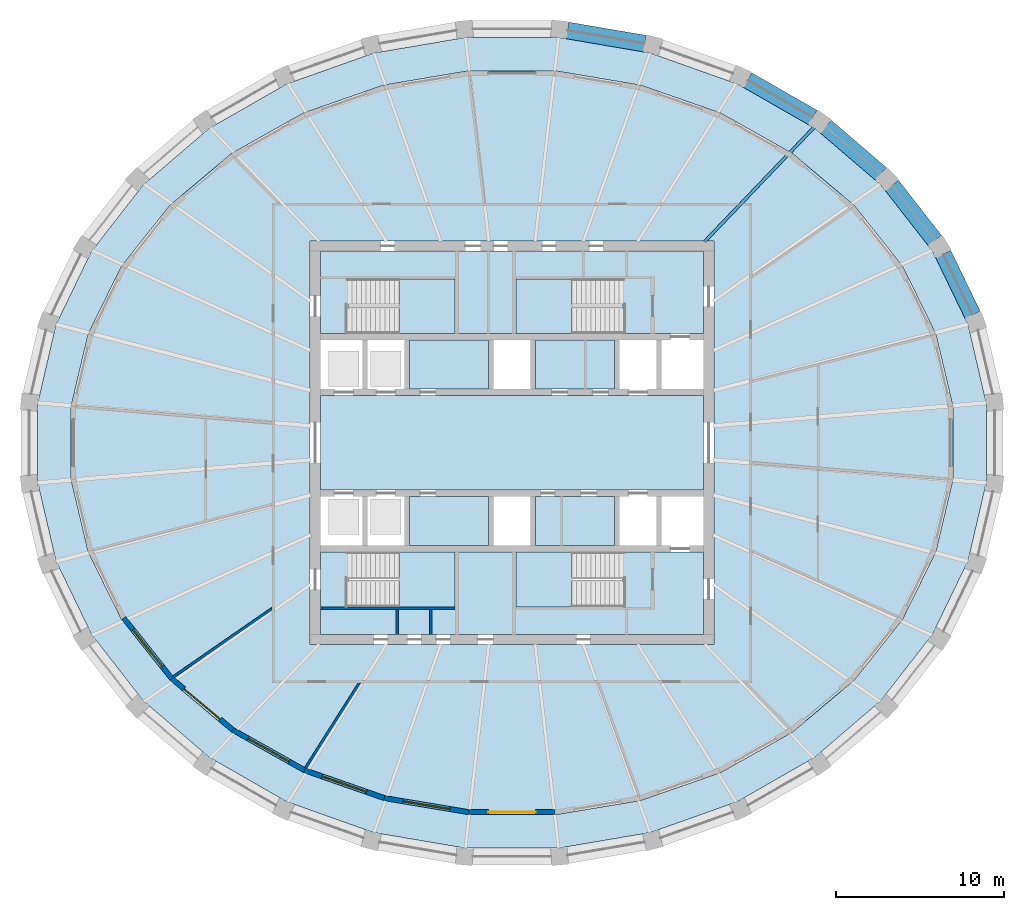
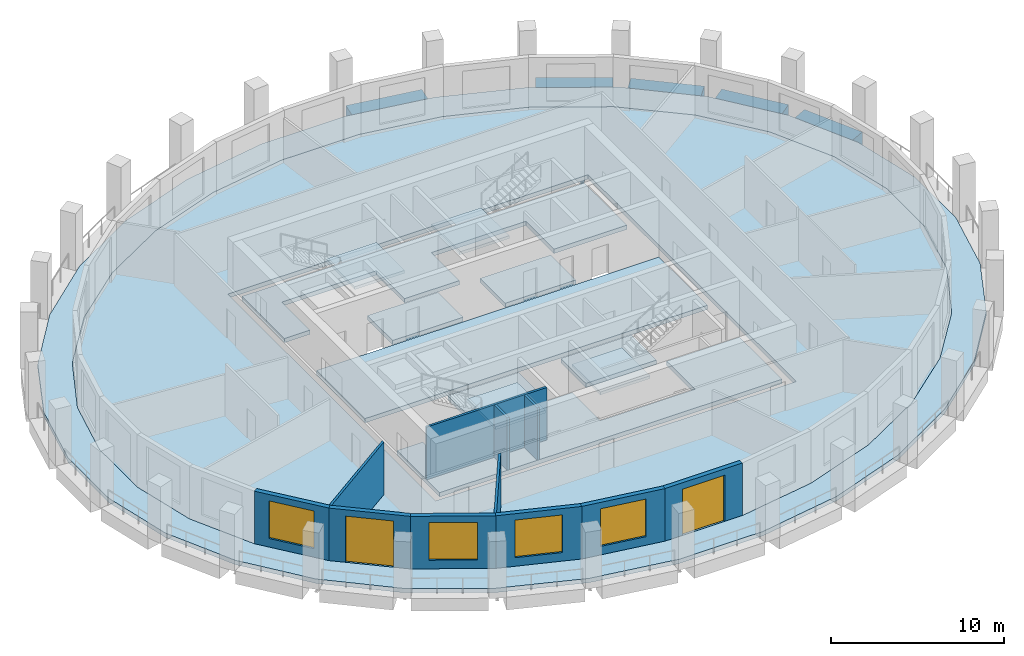
# One storey, part 2 of 10: 13 slabs, 11 walls, 6 beams, 4 windows, 2 doors, 6 openings, 4 elements without a shape of their own.
"""IFC4 building model written with IfcOpenShell, lengths in metres."""

from ifc_helpers import new_model, si_unit, direction, frame, frame_2d, origin, origin_2d, place, context, subcontext, project, spatial, polyline, rectangle, i_section, outline, extrude, material, layer, layer_set, material_profile, profile_set, type_object, element, fill, aggregate, save


model = new_model("IFC4")

# Units and contexts
model_context = context("Model", 3, precision=1e-05, world=origin(), true_north=direction((0.0, 1.0)))
body_context = subcontext(model_context, "Body", "Model", "MODEL_VIEW")
ifc_project = project(units=[si_unit("LENGTHUNIT", "METRE"), si_unit("AREAUNIT", "SQUARE_METRE"), si_unit("VOLUMEUNIT", "CUBIC_METRE"), si_unit("PLANEANGLEUNIT", "RADIAN"), si_unit("MASSUNIT", "GRAM", prefix="KILO")], contexts=[model_context])

# Site, building, storey
site_placement = place(None, origin())
site = spatial("IfcSite", under=ifc_project, at=site_placement, CompositionType="ELEMENT")
building_placement = place(site_placement, origin())
building = spatial("IfcBuilding", under=site, at=building_placement, Name="Halqa Exchange Tower", CompositionType="ELEMENT")
storey_placement = place(building_placement, frame((0.0, 0.0, 308.300048828125)))
storey = spatial("IfcBuildingStorey", under=building, at=storey_placement, Name="L72", CompositionType="ELEMENT", Elevation=308.300048828125)

# Beams
ifc_material_1 = material(Name="Steel S355", Category="steel")
ifc_material_profile_1 = material_profile(ifc_material_1, i_section(OverallWidth=0.179931640625, OverallDepth=0.39990234375, WebThickness=0.008544921875, FlangeThickness=0.013427734375, FilletRadius=0.02099609375, at=origin_2d()), Name="IPE 400")
ifc_profile_set_1 = profile_set([ifc_material_profile_1], Name="Steel S355")
beam_type_1 = type_object("IfcBeamType", Name="Floor beam IPE 400", PredefinedType="BEAM", material=ifc_profile_set_1)
beam_1_placement = place(storey_placement, frame((11.46240234375, 11.9716796875, -0.5), z_axis=(0.69157007379, 0.722309374879, 0.0), x_axis=(-0.722309374879, 0.69157007379, 0.0)))
element("IfcBeam", 1, at=beam_1_placement, inside=storey, type_object=beam_type_1, Name="Radial beam 5", PredefinedType="BEAM", context=body_context, shape_type="SweptSolid", body=[
    extrude(i_section(OverallWidth=0.179931640625, OverallDepth=0.39990234375, WebThickness=0.008544921875, FlangeThickness=0.013427734375, FilletRadius=0.02099609375, at=origin_2d()), origin(), (0.0, 0.0, 1.0), 9.5068359375),
])
ifc_material_2 = material(Name="Concrete C60/75", Category="concrete")
ifc_material_profile_2 = material_profile(ifc_material_2, rectangle(XDim=1.0, YDim=0.89990234375, at=origin_2d()), Name="1000 x 900")
ifc_profile_set_2 = profile_set([ifc_material_profile_2], Name="Concrete C60/75")
beam_type_2 = type_object("IfcBeamType", Name="RC spandrel beam 1000 x 900 C60/75", PredefinedType="SPANDREL", material=ifc_profile_set_2)
beam_2_placement = place(storey_placement, frame((27.393310546875, 7.6044921875, -0.449951171875), z_axis=(-0.43510880849, 0.900377878879, 0.0), x_axis=(-0.900377878879, -0.43510880849, 0.0)))
element("IfcBeam", 2, at=beam_2_placement, inside=storey, type_object=beam_type_2, Name="Spandrel 2", PredefinedType="SPANDREL", context=body_context, shape_type="SweptSolid", body=[
    extrude(rectangle(XDim=1.0, YDim=0.89990234375, at=origin_2d()), origin(), (0.0, 0.0, 1.0), 4.023193359375),
])
beam_3_placement = place(storey_placement, frame((25.14453125, 12.0283203125, -0.449951171875), z_axis=(-0.614813616622, 0.788672439493, 0.0), x_axis=(-0.788672439493, -0.614813616622, 0.0)))
element("IfcBeam", 3, at=beam_3_placement, inside=storey, type_object=beam_type_2, Name="Spandrel 3", PredefinedType="SPANDREL", context=body_context, shape_type="SweptSolid", body=[
    extrude(rectangle(XDim=1.0, YDim=0.89990234375, at=origin_2d()), origin(), (0.0, 0.0, 1.0), 4.160888671875),
])
beam_4_placement = place(storey_placement, frame((21.93505859375, 15.991943359375, -0.449951171875), z_axis=(-0.759264587282, 0.650782057604, 0.0), x_axis=(-0.650782057604, -0.759264587282, 0.0)))
element("IfcBeam", 4, at=beam_4_placement, inside=storey, type_object=beam_type_2, Name="Spandrel 4", PredefinedType="SPANDREL", context=body_context, shape_type="SweptSolid", body=[
    extrude(rectangle(XDim=1.0, YDim=0.89990234375, at=origin_2d()), origin(), (0.0, 0.0, 1.0), 4.31640625),
])
beam_5_placement = place(storey_placement, frame((17.885986328125, 19.345703125, -0.449951171875), z_axis=(-0.867738419342, 0.497021162123, 0.0), x_axis=(-0.497021162123, -0.867738419342, 0.0)))
element("IfcBeam", 5, at=beam_5_placement, inside=storey, type_object=beam_type_2, Name="Spandrel 5", PredefinedType="SPANDREL", context=body_context, shape_type="SweptSolid", body=[
    extrude(rectangle(XDim=1.0, YDim=0.89990234375, at=origin_2d()), origin(), (0.0, 0.0, 1.0), 4.468994140625),
])
beam_6_placement = place(storey_placement, frame((7.90478515625, 23.737060546875, -0.449951171875), z_axis=(-0.985773363279, 0.168079969805, 0.0), x_axis=(-0.168079969805, -0.985773363279, 0.0)))
element("IfcBeam", 6, at=beam_6_placement, inside=storey, type_object=beam_type_2, Name="Spandrel 7", PredefinedType="SPANDREL", context=body_context, shape_type="SweptSolid", body=[
    extrude(rectangle(XDim=1.0, YDim=0.89990234375, at=origin_2d()), origin(), (0.0, 0.0, 1.0), 4.67724609375),
])

# Slabs
ifc_layer_1 = layer(ifc_material_2, 0.300048828125)
ifc_layer_set_1 = layer_set([ifc_layer_1], Name="Concrete C60/75")
slab_type_1 = type_object("IfcSlabType", Name="Core floor slab 300", PredefinedType="FLOOR", material=ifc_layer_set_1)
slab_1_placement = place(storey_placement, frame((0.0, 0.0, -0.300048828125)))
element("IfcSlab", 7, at=slab_1_placement, inside=storey, type_object=slab_type_1, Name="Core floor slab", PredefinedType="FLOOR", context=body_context, shape_type="SweptSolid", body=[
    extrude(outline(polyline([(-11.39990234375, 2.800048828125), (11.39990234375, 2.800048828125), (11.39990234375, -2.800048828125), (-11.39990234375, -2.800048828125), (-11.39990234375, 2.800048828125)])), origin(), (0.0, 0.0, 1.0), 0.300048828125),
])
slab_2_placement = place(storey_placement, frame((0.0, 0.0, -0.300048828125)))
element("IfcSlab", 8, at=slab_2_placement, inside=storey, type_object=slab_type_1, Name="Core floor slab", PredefinedType="FLOOR", context=body_context, shape_type="SweptSolid", body=[
    extrude(outline(polyline([(-11.39990234375, 11.39990234375), (11.39990234375, 11.39990234375), (11.39990234375, 6.5), (6.550048828125, 6.5), (6.550048828125, 9.75), (0.25, 9.75), (0.25, 6.5), (-3.39990234375, 6.5), (-3.39990234375, 9.75), (-9.699951171875, 9.75), (-9.699951171875, 6.5), (-11.39990234375, 6.5), (-11.39990234375, 11.39990234375)])), origin(), (0.0, 0.0, 1.0), 0.300048828125),
])
slab_3_placement = place(storey_placement, frame((0.0, 0.0, -0.300048828125)))
element("IfcSlab", 9, at=slab_3_placement, inside=storey, type_object=slab_type_1, Name="Core floor slab", PredefinedType="FLOOR", context=body_context, shape_type="SweptSolid", body=[
    extrude(outline(polyline([(-11.39990234375, -6.5), (-9.699951171875, -6.5), (-9.699951171875, -9.75), (-3.39990234375, -9.75), (-3.39990234375, -6.5), (0.25, -6.5), (0.25, -9.75), (6.550048828125, -9.75), (6.550048828125, -6.5), (11.39990234375, -6.5), (11.39990234375, -11.39990234375), (-11.39990234375, -11.39990234375), (-11.39990234375, -6.5)])), origin(), (0.0, 0.0, 1.0), 0.300048828125),
])
slab_4_placement = place(storey_placement, frame((0.0, 0.0, -0.300048828125)))
element("IfcSlab", 10, at=slab_4_placement, inside=storey, type_object=slab_type_1, Name="Core floor slab", PredefinedType="FLOOR", context=body_context, shape_type="SweptSolid", body=[
    extrude(outline(polyline([(-1.39990234375, -3.199951171875), (-1.39990234375, -6.10009765625), (-6.10009765625, -6.10009765625), (-6.10009765625, -3.199951171875), (-1.39990234375, -3.199951171875)])), origin(), (0.0, 0.0, 1.0), 0.300048828125),
])
slab_5_placement = place(storey_placement, frame((0.0, 0.0, -0.300048828125)))
element("IfcSlab", 11, at=slab_5_placement, inside=storey, type_object=slab_type_1, Name="Core floor slab", PredefinedType="FLOOR", context=body_context, shape_type="SweptSolid", body=[
    extrude(outline(polyline([(-1.39990234375, 3.199951171875), (-6.10009765625, 3.199951171875), (-6.10009765625, 6.10009765625), (-1.39990234375, 6.10009765625), (-1.39990234375, 3.199951171875)])), origin(), (0.0, 0.0, 1.0), 0.300048828125),
])
slab_6_placement = place(storey_placement, frame((0.0, 0.0, -0.300048828125)))
element("IfcSlab", 12, at=slab_6_placement, inside=storey, type_object=slab_type_1, Name="Core floor slab", PredefinedType="FLOOR", context=body_context, shape_type="SweptSolid", body=[
    extrude(outline(polyline([(6.10009765625, -3.199951171875), (6.10009765625, -6.10009765625), (1.39990234375, -6.10009765625), (1.39990234375, -3.199951171875), (6.10009765625, -3.199951171875)])), origin(), (0.0, 0.0, 1.0), 0.300048828125),
])
slab_7_placement = place(storey_placement, frame((0.0, 0.0, -0.300048828125)))
element("IfcSlab", 13, at=slab_7_placement, inside=storey, type_object=slab_type_1, Name="Core floor slab", PredefinedType="FLOOR", context=body_context, shape_type="SweptSolid", body=[
    extrude(outline(polyline([(6.10009765625, 6.10009765625), (6.10009765625, 3.199951171875), (1.39990234375, 3.199951171875), (1.39990234375, 6.10009765625), (6.10009765625, 6.10009765625)])), origin(), (0.0, 0.0, 1.0), 0.300048828125),
])
ifc_material_3 = material(Name="Concrete C40/50", Category="concrete")
ifc_layer_2 = layer(ifc_material_3, 0.300048828125)
ifc_layer_set_2 = layer_set([ifc_layer_2], Name="Concrete C40/50")
slab_type_2 = type_object("IfcSlabType", Name="RC floor slab 300", PredefinedType="FLOOR", material=ifc_layer_set_2)
slab_8_placement = place(storey_placement, frame((0.0, 0.0, -0.300048828125)))
element("IfcSlab", 14, at=slab_8_placement, inside=storey, type_object=slab_type_2, Name="Floor slab", PredefinedType="FLOOR", context=body_context, shape_type="SweptSolid", body=[
    extrude(outline(polyline([(26.216796875, 2.18359375), (25.204833984375, 6.465576171875), (23.22216796875, 10.4951171875), (20.346923828125, 14.1171875), (16.6923828125, 17.193603515625), (12.400146484375, 19.60791015625), (7.63427734375, 21.26953125), (2.577392578125, 22.1162109375), (-2.577392578125, 22.1162109375), (-7.63427734375, 21.26953125), (-12.400146484375, 19.60791015625), (-16.6923828125, 17.193603515625), (-20.346923828125, 14.1171875), (-23.22216796875, 10.4951171875), (-25.204833984375, 6.465576171875), (-26.216796875, 2.18359375), (-26.216796875, -2.18359375), (-25.204833984375, -6.465576171875), (-23.22216796875, -10.4951171875), (-20.346923828125, -14.1171875), (-16.6923828125, -17.193603515625), (-12.400146484375, -19.60791015625), (-7.63427734375, -21.26953125), (-2.577392578125, -22.1162109375), (2.577392578125, -22.1162109375), (7.63427734375, -21.26953125), (12.400146484375, -19.60791015625), (16.6923828125, -17.193603515625), (20.346923828125, -14.1171875), (23.22216796875, -10.4951171875), (25.204833984375, -6.465576171875), (26.216796875, -2.18359375), (26.216796875, 2.18359375)]), holes=[polyline([(-12.0, -12.0), (12.0, -12.0), (12.0, 12.0), (-12.0, 12.0), (-12.0, -12.0)])]), origin(), (0.0, 0.0, 1.0), 0.300048828125),
])
ifc_layer_3 = layer(ifc_material_3, 0.300048828125)
ifc_layer_set_3 = layer_set([ifc_layer_3], Name="Concrete C40/50")
slab_type_3 = type_object("IfcSlabType", Name="RC loggia slab 300", PredefinedType="FLOOR", material=ifc_layer_set_3)
slab_9_placement = place(storey_placement, frame((0.0, 0.0, -0.300048828125)))
element("IfcSlab", 15, at=slab_9_placement, inside=storey, type_object=slab_type_3, Name="Loggia slab", PredefinedType="FLOOR", context=body_context, shape_type="SweptSolid", body=[
    extrude(outline(polyline([(28.203125, 2.365966796875), (28.203125, -2.365966796875), (27.125732421875, -7.009033203125), (25.009521484375, -11.38818359375), (21.931640625, -15.336181640625), (18.0078125, -18.69970703125), (13.386474609375, -21.346435546875), (8.245849609375, -23.171630859375), (2.78466796875, -24.102783203125), (-2.78466796875, -24.102783203125), (-8.245849609375, -23.171630859375), (-13.386474609375, -21.346435546875), (-18.0078125, -18.69970703125), (-21.931640625, -15.336181640625), (-25.009521484375, -11.38818359375), (-27.125732421875, -7.009033203125), (-28.203125, -2.365966796875), (-28.203125, 2.365966796875), (-27.125732421875, 7.009033203125), (-25.009521484375, 11.38818359375), (-21.931640625, 15.336181640625), (-18.0078125, 18.69970703125), (-13.386474609375, 21.346435546875), (-8.245849609375, 23.171630859375), (-2.78466796875, 24.102783203125), (2.78466796875, 24.102783203125), (8.245849609375, 23.171630859375), (13.386474609375, 21.346435546875), (18.0078125, 18.69970703125), (21.931640625, 15.336181640625), (25.009521484375, 11.38818359375), (27.125732421875, 7.009033203125), (28.203125, 2.365966796875)]), holes=[polyline([(26.216796875, 2.18359375), (25.204833984375, 6.465576171875), (23.22216796875, 10.4951171875), (20.346923828125, 14.1171875), (16.6923828125, 17.193603515625), (12.400146484375, 19.60791015625), (7.63427734375, 21.26953125), (2.577392578125, 22.1162109375), (-2.577392578125, 22.1162109375), (-7.63427734375, 21.26953125), (-12.400146484375, 19.60791015625), (-16.6923828125, 17.193603515625), (-20.346923828125, 14.1171875), (-23.22216796875, 10.4951171875), (-25.204833984375, 6.465576171875), (-26.216796875, 2.18359375), (-26.216796875, -2.18359375), (-25.204833984375, -6.465576171875), (-23.22216796875, -10.4951171875), (-20.346923828125, -14.1171875), (-16.6923828125, -17.193603515625), (-12.400146484375, -19.60791015625), (-7.63427734375, -21.26953125), (-2.577392578125, -22.1162109375), (2.577392578125, -22.1162109375), (7.63427734375, -21.26953125), (12.400146484375, -19.60791015625), (16.6923828125, -17.193603515625), (20.346923828125, -14.1171875), (23.22216796875, -10.4951171875), (25.204833984375, -6.465576171875), (26.216796875, -2.18359375), (26.216796875, 2.18359375)])]), origin(), (0.0, 0.0, 1.0), 0.300048828125),
])

# Stair, slab
ifc_material_4 = material(Name="Concrete C30/37", Category="concrete")
stair_type = type_object("IfcStairType", Name="Exit stair 1500 wide", PredefinedType="HALF_TURN_STAIR", material=ifc_material_4)
stair_1_placement = place(storey_placement, origin())
stair_1 = element("IfcStair", 16, at=stair_1_placement, inside=storey, type_object=stair_type, Name="Exit stair ST1", PredefinedType="HALF_TURN_STAIR")
ifc_layer_4 = layer(ifc_material_4, 0.199951171875)
ifc_layer_set_4 = layer_set([ifc_layer_4], Name="Concrete C30/37")
slab_type_4 = type_object("IfcSlabType", Name="Stair landing 200 slab", PredefinedType="LANDING", material=ifc_layer_set_4)
slab_10_placement = place(storey_placement, frame((0.0, 0.0, 1.800048828125)))
slab_10 = element("IfcSlab", 17, at=slab_10_placement, type_object=slab_type_4, Name="ST1 landing 1", PredefinedType="LANDING", context=body_context, shape_type="SweptSolid", body=[
    extrude(outline(polyline([(-6.719970703125, 6.5), (-3.39990234375, 6.5), (-3.39990234375, 9.75), (-6.719970703125, 9.75), (-6.719970703125, 6.5)])), origin(), (0.0, 0.0, 1.0), 0.199951171875),
])
aggregate(stair_1, [slab_10])

stair_2_placement = place(storey_placement, origin())
stair_2 = element("IfcStair", 18, at=stair_2_placement, inside=storey, type_object=stair_type, Name="Exit stair ST2", PredefinedType="HALF_TURN_STAIR")
slab_11_placement = place(storey_placement, frame((0.0, 0.0, 1.800048828125)))
slab_11 = element("IfcSlab", 19, at=slab_11_placement, type_object=slab_type_4, Name="ST2 landing 1", PredefinedType="LANDING", context=body_context, shape_type="SweptSolid", body=[
    extrude(outline(polyline([(0.25, 6.5), (3.570068359375, 6.5), (3.570068359375, 9.75), (0.25, 9.75), (0.25, 6.5)])), origin(), (0.0, 0.0, 1.0), 0.199951171875),
])
aggregate(stair_2, [slab_11])

stair_3_placement = place(storey_placement, origin())
stair_3 = element("IfcStair", 20, at=stair_3_placement, inside=storey, type_object=stair_type, Name="Exit stair ST3", PredefinedType="HALF_TURN_STAIR")
slab_12_placement = place(storey_placement, frame((0.0, 0.0, 1.800048828125)))
slab_12 = element("IfcSlab", 21, at=slab_12_placement, type_object=slab_type_4, Name="ST3 landing 1", PredefinedType="LANDING", context=body_context, shape_type="SweptSolid", body=[
    extrude(outline(polyline([(-6.719970703125, -9.75), (-3.39990234375, -9.75), (-3.39990234375, -6.5), (-6.719970703125, -6.5), (-6.719970703125, -9.75)])), origin(), (0.0, 0.0, 1.0), 0.199951171875),
])
aggregate(stair_3, [slab_12])

stair_4_placement = place(storey_placement, origin())
stair_4 = element("IfcStair", 22, at=stair_4_placement, inside=storey, type_object=stair_type, Name="Exit stair ST4", PredefinedType="HALF_TURN_STAIR")
slab_13_placement = place(storey_placement, frame((0.0, 0.0, 1.800048828125)))
slab_13 = element("IfcSlab", 23, at=slab_13_placement, type_object=slab_type_4, Name="ST4 landing 1", PredefinedType="LANDING", context=body_context, shape_type="SweptSolid", body=[
    extrude(outline(polyline([(0.25, -9.75), (3.570068359375, -9.75), (3.570068359375, -6.5), (0.25, -6.5), (0.25, -9.75)])), origin(), (0.0, 0.0, 1.0), 0.199951171875),
])
aggregate(stair_4, [slab_13])

# Walls
ifc_material_5 = material(Name="Fire-rated gypsum board")
ifc_layer_5 = layer(ifc_material_5, 0.14990234375)
ifc_layer_set_5 = layer_set([ifc_layer_5], Name="Fire-rated gypsum board")
wall_type_1 = type_object("IfcWallType", Name="Fire partition EI 60 150", PredefinedType="PARTITIONING", material=ifc_layer_set_5)
wall_1_placement = place(storey_placement, frame((-14.232421875, -9.83251953125, 0.0), z_axis=(0.0, 0.0, 1.0), x_axis=(-0.822725997435, -0.568438152436, 0.0)))
element("IfcWall", 24, at=wall_1_placement, inside=storey, type_object=wall_type_1, Name="L72-PWL-007", PredefinedType="PARTITIONING", context=body_context, shape_type="SweptSolid", body=[
    extrude(outline(polyline([(0.0, -0.074951171875), (1.79345703125, -0.074951171875), (3.5869140625, -0.074951171875), (5.38037109375, -0.074951171875), (7.173828125, -0.074951171875), (7.1689453125, -0.000732421875), (7.148193359375, 0.074951171875), (5.386962890625, 0.074951171875), (3.6259765625, 0.074951171875), (1.86474609375, 0.074951171875), (0.103515625, 0.074951171875), (0.0, -0.074951171875), (0.0, -0.074951171875)])), origin(), (0.0, 0.0, 1.0), 3.699951171875),
])
wall_2_placement = place(storey_placement, frame((-9.042236328125, -14.235107421875, 0.0), z_axis=(0.0, 0.0, 1.0), x_axis=(-0.535766262989, -0.844366337228, 0.0)))
element("IfcWall", 25, at=wall_2_placement, inside=storey, type_object=wall_type_1, Name="L72-PWL-009", PredefinedType="PARTITIONING", context=body_context, shape_type="SweptSolid", body=[
    extrude(outline(polyline([(6.041015625, -0.074951171875), (6.041015625, -0.0673828125), (6.037353515625, 0.000732421875), (6.02001953125, 0.074951171875), (4.51513671875, 0.074951171875), (3.010009765625, 0.074951171875), (1.505126953125, 0.074951171875), (0.0, 0.074951171875), (0.0, 0.074462890625), (0.0947265625, -0.074951171875), (2.076904296875, -0.074951171875), (4.058837890625, -0.074951171875), (6.041015625, -0.074951171875)])), origin(), (0.0, 0.0, 1.0), 3.699951171875),
])
ifc_material_6 = material(Name="Gypsum board")
ifc_layer_6 = layer(ifc_material_6, 0.14990234375)
ifc_layer_set_6 = layer_set([ifc_layer_6], Name="Gypsum board")
wall_type_2 = type_object("IfcWallType", Name="Penthouse riser wall 150 gypsum", PredefinedType="PARTITIONING", material=ifc_layer_set_6)
for number, where, z_axis, x_axis, name in (
    (26, (-6.824951171875, -11.39990234375, 0.0), (0.0, 0.0, 1.0), (0.0, 1.0, 0.0), "Partition W6.825 S"),
    (27, (-4.824951171875, -11.39990234375, 0.0), (0.0, 0.0, 1.0), (0.0, 1.0, 0.0), "Partition W4.825 S"),
):
    element("IfcWall", number, at=place(storey_placement, frame(where, z_axis=z_axis, x_axis=x_axis)), inside=storey, type_object=wall_type_2, Name=name, PredefinedType="PARTITIONING", context=body_context, shape_type="SweptSolid", body=[
        extrude(rectangle(XDim=1.5, YDim=0.14990234375, at=frame_2d((0.75, 0.0))), origin(), (0.0, 0.0, 1.0), 3.699951171875),
    ])
ifc_layer_7 = layer(ifc_material_4, 0.14990234375)
ifc_layer_set_7 = layer_set([ifc_layer_7], Name="Concrete C30/37")
wall_type_3 = type_object("IfcWallType", Name="RC stair wall 150 C30/37", PredefinedType="SHEAR", material=ifc_layer_set_7)
wall_3_placement = place(storey_placement, frame((-11.39990234375, -9.824951171875, 0.0), z_axis=(0.0, 0.0, 1.0), x_axis=(1.0, 0.0, 0.0)))
element("IfcWall", 28, at=wall_3_placement, inside=storey, type_object=wall_type_3, Name="Stair ST1 north wall S", PredefinedType="SHEAR", context=body_context, shape_type="SweptSolid", body=[
    extrude(rectangle(XDim=8.0, YDim=0.14990234375, at=frame_2d((4.0, 0.0))), origin(), (0.0, 0.0, 1.0), 3.699951171875),
])

# Wall, opening, window
ifc_material_7 = material(Name="Limestone cladding", Category="masonry")
ifc_layer_8 = layer(ifc_material_7, 0.0400390625)
ifc_material_8 = material(Name="Ventilated cavity")
ifc_layer_9 = layer(ifc_material_8, 0.030029296875, ventilated=True)
ifc_material_9 = material(Name="Mineral wool insulation")
ifc_layer_10 = layer(ifc_material_9, 0.10009765625)
ifc_layer_11 = layer(ifc_material_4, 0.10009765625)
ifc_material_10 = material(Name="Internal plaster")
ifc_layer_12 = layer(ifc_material_10, 0.030029296875)
ifc_layer_set_8 = layer_set([ifc_layer_8, ifc_layer_9, ifc_layer_10, ifc_layer_11, ifc_layer_12], Name="Stone-faced insulated wall 300")
wall_type_4 = type_object("IfcWallType", Name="Stone-faced insulated wall 300", PredefinedType="STANDARD", material=ifc_layer_set_8)
wall_4_placement = place(storey_placement, frame((-23.094482421875, -10.41455078125, 0.0), z_axis=(0.0, 0.0, 1.0), x_axis=(0.621682706372, -0.78326918272, 0.0)))
wall_4 = element("IfcWall", 29, at=wall_4_placement, inside=storey, type_object=wall_type_4, Name="Glass-line wall 19", PredefinedType="STANDARD", context=body_context, shape_type="SweptSolid", body=[
    extrude(outline(polyline([(-0.01611328125, -0.14990234375), (4.608154296875, -0.14990234375), (4.577880859375, 0.14990234375), (0.01611328125, 0.14990234375), (-0.01611328125, -0.14990234375)])), origin(), (0.0, 0.0, 1.0), 3.699951171875),
])
opening_1_placement = place(wall_4_placement, frame((0.896484375, 0.0, 0.60009765625)))
opening_1 = element("IfcOpeningElement", 30, at=opening_1_placement, cuts=wall_4, Name="Opening W-F4-19", PredefinedType="OPENING", context=body_context, shape_type="SweptSolid", body=[
    extrude(rectangle(XDim=2.800048828125, YDim=2.64990234375, at=frame_2d((1.39990234375, 1.324951171875))), frame((0.0, 0.162109375, 0.0), z_axis=(0.0, -1.0, 0.0), x_axis=(1.0, 0.0, 0.0)), (0.0, 0.0, 1.0), 0.323974609375),
])
ifc_material_11 = material(Name="Clear low-emissivity glass in aluminium frame", Category="aluminium")
window_type = type_object("IfcWindowType", Name="Fixed clear glazed window 2800 x 2650", PartitioningType="DOUBLE_PANEL_VERTICAL", PredefinedType="WINDOW", material=ifc_material_11)
window_1_placement = place(opening_1_placement, origin())
window_1 = element("IfcWindow", 31, at=window_1_placement, inside=storey, type_object=window_type, Name="Window 4", OverallHeight=2.64990234375, OverallWidth=2.800048828125, PartitioningType="DOUBLE_PANEL_VERTICAL", PredefinedType="WINDOW", context=body_context, shape_type="SweptSolid", body=[
    extrude(rectangle(XDim=2.800048828125, YDim=2.64990234375, at=frame_2d((1.39990234375, 1.324951171875))), frame((0.0, 0.030029296875, 0.0), z_axis=(0.0, -1.0, 0.0), x_axis=(1.0, 0.0, 0.0)), (0.0, 0.0, 1.0), 0.06005859375),
])
fill(opening_1, window_1)

# Wall, opening, door
wall_5_placement = place(storey_placement, frame((-20.239013671875, -14.01220703125, 0.0), z_axis=(0.0, 0.0, 1.0), x_axis=(0.765059193792, -0.643959959931, 0.0)))
wall_5 = element("IfcWall", 32, at=wall_5_placement, inside=storey, type_object=wall_type_4, Name="Glass-line wall 20", PredefinedType="STANDARD", context=body_context, shape_type="SweptSolid", body=[
    extrude(outline(polyline([(-0.01513671875, -0.14990234375), (4.761962890625, -0.14990234375), (4.733642578125, 0.14990234375), (0.01513671875, 0.14990234375), (-0.01513671875, -0.14990234375)])), origin(), (0.0, 0.0, 1.0), 3.699951171875),
])
opening_2_placement = place(wall_5_placement, frame((0.973876953125, 0.0, 0.0)))
opening_2 = element("IfcOpeningElement", 33, at=opening_2_placement, cuts=wall_5, Name="Opening LG-F4-05", PredefinedType="OPENING", context=body_context, shape_type="SweptSolid", body=[
    extrude(rectangle(XDim=2.800048828125, YDim=3.25, at=frame_2d((1.39990234375, 1.625))), frame((0.0, 0.162109375, 0.0), z_axis=(0.0, -1.0, 0.0), x_axis=(1.0, 0.0, 0.0)), (0.0, 0.0, 1.0), 0.323974609375),
])
door_type = type_object("IfcDoorType", Name="Glazed sliding loggia door 2800 x 3250", OperationType="DOUBLE_DOOR_SLIDING", PredefinedType="DOOR", material=ifc_material_11)
door_1_placement = place(opening_2_placement, origin())
door_1 = element("IfcDoor", 34, at=door_1_placement, inside=storey, type_object=door_type, Name="Loggia door 5", OperationType="DOUBLE_DOOR_SLIDING", OverallHeight=3.25, OverallWidth=2.800048828125, PredefinedType="DOOR", context=body_context, shape_type="SweptSolid", body=[
    extrude(rectangle(XDim=2.800048828125, YDim=3.25, at=frame_2d((1.39990234375, 1.625))), frame((0.0, 0.02490234375, 0.0), z_axis=(0.0, -1.0, 0.0), x_axis=(1.0, 0.0, 0.0)), (0.0, 0.0, 1.0), 0.050048828125),
])
fill(opening_2, door_1)

# Wall, opening, window
wall_6_placement = place(storey_placement, frame((-16.606689453125, -17.069580078125, 0.0), z_axis=(0.0, 0.0, 1.0), x_axis=(0.871570211895, -0.490270706588, 0.0)))
wall_6 = element("IfcWall", 35, at=wall_6_placement, inside=storey, type_object=wall_type_4, Name="Glass-line wall 21", PredefinedType="STANDARD", context=body_context, shape_type="SweptSolid", body=[
    extrude(outline(polyline([(-0.01416015625, -0.14990234375), (4.91064453125, -0.14990234375), (4.88427734375, 0.14990234375), (0.01416015625, 0.14990234375), (-0.01416015625, -0.14990234375)])), origin(), (0.0, 0.0, 1.0), 3.699951171875),
])
opening_3_placement = place(wall_6_placement, frame((1.048828125, 0.0, 0.60009765625)))
opening_3 = element("IfcOpeningElement", 36, at=opening_3_placement, cuts=wall_6, Name="Opening W-F4-21", PredefinedType="OPENING", context=body_context, shape_type="SweptSolid", body=[
    extrude(rectangle(XDim=2.800048828125, YDim=2.64990234375, at=frame_2d((1.39990234375, 1.324951171875))), frame((0.0, 0.162109375, 0.0), z_axis=(0.0, -1.0, 0.0), x_axis=(1.0, 0.0, 0.0)), (0.0, 0.0, 1.0), 0.323974609375),
])
window_2_placement = place(opening_3_placement, origin())
window_2 = element("IfcWindow", 37, at=window_2_placement, inside=storey, type_object=window_type, Name="Window 4", OverallHeight=2.64990234375, OverallWidth=2.800048828125, PartitioningType="DOUBLE_PANEL_VERTICAL", PredefinedType="WINDOW", context=body_context, shape_type="SweptSolid", body=[
    extrude(rectangle(XDim=2.800048828125, YDim=2.64990234375, at=frame_2d((1.39990234375, 1.324951171875))), frame((0.0, 0.030029296875, 0.0), z_axis=(0.0, -1.0, 0.0), x_axis=(1.0, 0.0, 0.0)), (0.0, 0.0, 1.0), 0.06005859375),
])
fill(opening_3, window_2)

wall_7_placement = place(storey_placement, frame((-12.338134765625, -19.470703125, 0.0), z_axis=(0.0, 0.0, 1.0), x_axis=(0.944251863618, -0.329223963365, 0.0)))
wall_7 = element("IfcWall", 38, at=wall_7_placement, inside=storey, type_object=wall_type_4, Name="Glass-line wall 22", PredefinedType="STANDARD", context=body_context, shape_type="SweptSolid", body=[
    extrude(outline(polyline([(-0.01318359375, -0.14990234375), (5.033935546875, -0.14990234375), (5.008544921875, 0.14990234375), (0.01318359375, 0.14990234375), (-0.01318359375, -0.14990234375)])), origin(), (0.0, 0.0, 1.0), 3.699951171875),
])
opening_4_placement = place(wall_7_placement, frame((1.110595703125, 0.0, 0.60009765625)))
opening_4 = element("IfcOpeningElement", 39, at=opening_4_placement, cuts=wall_7, Name="Opening W-F4-22", PredefinedType="OPENING", context=body_context, shape_type="SweptSolid", body=[
    extrude(rectangle(XDim=2.800048828125, YDim=2.64990234375, at=frame_2d((1.39990234375, 1.324951171875))), frame((0.0, 0.162109375, 0.0), z_axis=(0.0, -1.0, 0.0), x_axis=(1.0, 0.0, 0.0)), (0.0, 0.0, 1.0), 0.323974609375),
])
window_3_placement = place(opening_4_placement, origin())
window_3 = element("IfcWindow", 40, at=window_3_placement, inside=storey, type_object=window_type, Name="Window 4", OverallHeight=2.64990234375, OverallWidth=2.800048828125, PartitioningType="DOUBLE_PANEL_VERTICAL", PredefinedType="WINDOW", context=body_context, shape_type="SweptSolid", body=[
    extrude(rectangle(XDim=2.800048828125, YDim=2.64990234375, at=frame_2d((1.39990234375, 1.324951171875))), frame((0.0, 0.030029296875, 0.0), z_axis=(0.0, -1.0, 0.0), x_axis=(1.0, 0.0, 0.0)), (0.0, 0.0, 1.0), 0.06005859375),
])
fill(opening_4, window_3)

wall_8_placement = place(storey_placement, frame((-7.596923828125, -21.123779296875, 0.0), z_axis=(0.0, 0.0, 1.0), x_axis=(0.986269480969, -0.165143909695, 0.0)))
wall_8 = element("IfcWall", 41, at=wall_8_placement, inside=storey, type_object=wall_type_4, Name="Glass-line wall 23", PredefinedType="STANDARD", context=body_context, shape_type="SweptSolid", body=[
    extrude(outline(polyline([(-0.0126953125, -0.14990234375), (5.1142578125, -0.14990234375), (5.08935546875, 0.14990234375), (0.0126953125, 0.14990234375), (-0.0126953125, -0.14990234375)])), origin(), (0.0, 0.0, 1.0), 3.699951171875),
])
opening_5_placement = place(wall_8_placement, frame((1.15087890625, 0.0, 0.60009765625)))
opening_5 = element("IfcOpeningElement", 42, at=opening_5_placement, cuts=wall_8, Name="Opening W-F4-23", PredefinedType="OPENING", context=body_context, shape_type="SweptSolid", body=[
    extrude(rectangle(XDim=2.800048828125, YDim=2.64990234375, at=frame_2d((1.39990234375, 1.324951171875))), frame((0.0, 0.162109375, 0.0), z_axis=(0.0, -1.0, 0.0), x_axis=(1.0, 0.0, 0.0)), (0.0, 0.0, 1.0), 0.323974609375),
])
window_4_placement = place(opening_5_placement, origin())
window_4 = element("IfcWindow", 43, at=window_4_placement, inside=storey, type_object=window_type, Name="Window 4", OverallHeight=2.64990234375, OverallWidth=2.800048828125, PartitioningType="DOUBLE_PANEL_VERTICAL", PredefinedType="WINDOW", context=body_context, shape_type="SweptSolid", body=[
    extrude(rectangle(XDim=2.800048828125, YDim=2.64990234375, at=frame_2d((1.39990234375, 1.324951171875))), frame((0.0, 0.030029296875, 0.0), z_axis=(0.0, -1.0, 0.0), x_axis=(1.0, 0.0, 0.0)), (0.0, 0.0, 1.0), 0.06005859375),
])
fill(opening_5, window_4)

# Wall, opening, door
wall_9_placement = place(storey_placement, frame((-2.565185546875, -21.96630859375, 0.0), z_axis=(0.0, 0.0, 1.0), x_axis=(1.0, 0.0, 0.0)))
wall_9 = element("IfcWall", 44, at=wall_9_placement, inside=storey, type_object=wall_type_4, Name="Glass-line wall 24", PredefinedType="STANDARD", context=body_context, shape_type="SweptSolid", body=[
    extrude(outline(polyline([(-0.012451171875, -0.14990234375), (5.142822265625, -0.14990234375), (5.117919921875, 0.14990234375), (0.012451171875, 0.14990234375), (-0.012451171875, -0.14990234375)])), origin(), (0.0, 0.0, 1.0), 3.699951171875),
])
opening_6_placement = place(wall_9_placement, frame((1.1650390625, 0.0, 0.0)))
opening_6 = element("IfcOpeningElement", 45, at=opening_6_placement, cuts=wall_9, Name="Opening LG-F4-06", PredefinedType="OPENING", context=body_context, shape_type="SweptSolid", body=[
    extrude(rectangle(XDim=2.800048828125, YDim=3.25, at=frame_2d((1.39990234375, 1.625))), frame((0.0, 0.162109375, 0.0), z_axis=(0.0, -1.0, 0.0), x_axis=(1.0, 0.0, 0.0)), (0.0, 0.0, 1.0), 0.323974609375),
])
door_2_placement = place(opening_6_placement, origin())
door_2 = element("IfcDoor", 46, at=door_2_placement, inside=storey, type_object=door_type, Name="Loggia door 6", OperationType="DOUBLE_DOOR_SLIDING", OverallHeight=3.25, OverallWidth=2.800048828125, PredefinedType="DOOR", context=body_context, shape_type="SweptSolid", body=[
    extrude(rectangle(XDim=2.800048828125, YDim=3.25, at=frame_2d((1.39990234375, 1.625))), frame((0.0, 0.02490234375, 0.0), z_axis=(0.0, -1.0, 0.0), x_axis=(1.0, 0.0, 0.0)), (0.0, 0.0, 1.0), 0.050048828125),
])
fill(opening_6, door_2)

save(model, "model.ifc")
